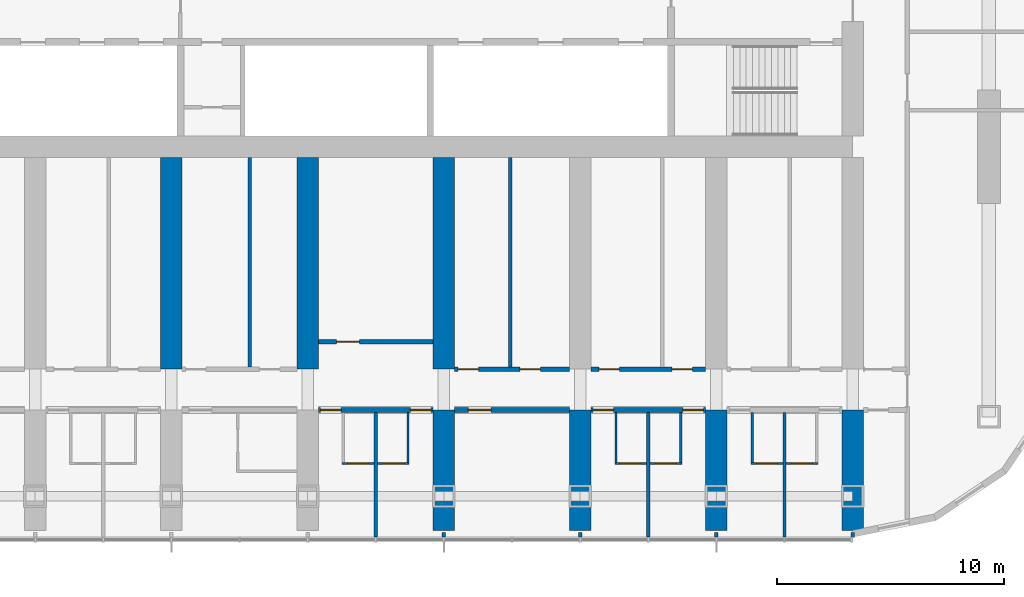
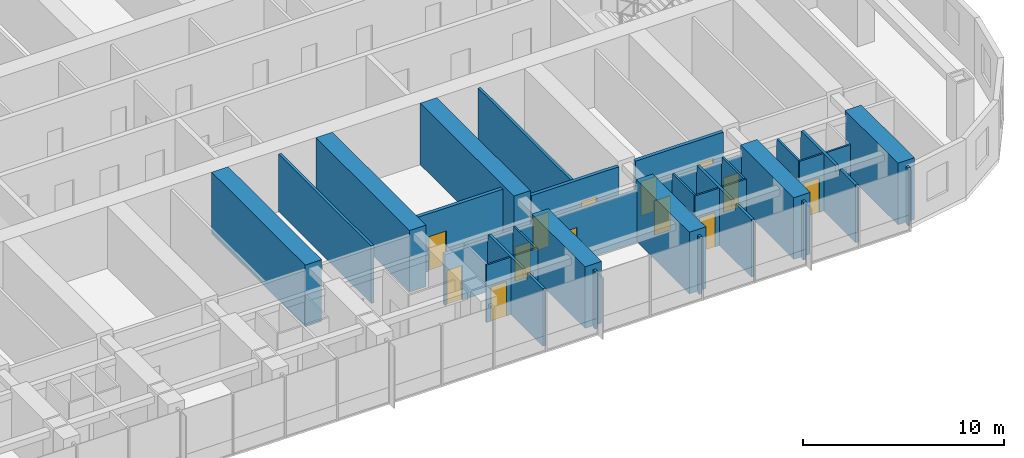
# One storey, part 10 of 21: 32 walls, 16 doors, 16 openings.
"""IFC4 building model written with IfcOpenShell, lengths in metres."""

from ifc_helpers import new_model, si_unit, direction, frame, frame_2d, origin, place, context, subcontext, project, spatial, polyline, rectangle, outline, extrude, material, layer, layer_set, type_object, element, fill, save


model = new_model("IFC4")

# Units and contexts
model_context = context("Model", 3, precision=1e-05, world=origin(), true_north=direction((0.0, 1.0)))
body_context = subcontext(model_context, "Body", "Model", "MODEL_VIEW")
ifc_project = project(units=[si_unit("LENGTHUNIT", "METRE"), si_unit("AREAUNIT", "SQUARE_METRE"), si_unit("VOLUMEUNIT", "CUBIC_METRE"), si_unit("PLANEANGLEUNIT", "RADIAN"), si_unit("MASSUNIT", "GRAM", prefix="KILO")], contexts=[model_context])

# Site, building, storey
site_placement = place(None, origin())
site = spatial("IfcSite", under=ifc_project, at=site_placement, CompositionType="ELEMENT")
building_placement = place(site_placement, origin())
building = spatial("IfcBuilding", under=site, at=building_placement, Name="Orbita Commons", CompositionType="ELEMENT")
storey_placement = place(building_placement, frame((0.0, 0.0, 91.89990234375)))
storey = spatial("IfcBuildingStorey", under=building, at=storey_placement, Name="L22", CompositionType="ELEMENT", Elevation=91.89990234375)

# Wall, openings, doors
ifc_material_1 = material(Name="Concrete blockwork", Category="masonry")
ifc_layer_1 = layer(ifc_material_1, 0.199951171875)
ifc_layer_set_1 = layer_set([ifc_layer_1], Name="Concrete blockwork")
wall_type_1 = type_object("IfcWallType", Name="Corridor wall 200 blockwork", PredefinedType="SOLIDWALL", material=ifc_layer_set_1)
wall_1_placement = place(storey_placement, frame((42.47509765625, 14.199951171875, 0.0), z_axis=(0.0, 0.0, 1.0), x_axis=(1.0, 0.0, 0.0)))
wall_1 = element("IfcWall", 1, at=wall_1_placement, inside=storey, type_object=wall_type_1, Name="Corridor wall 200 blockwork L22", PredefinedType="SOLIDWALL", context=body_context, shape_type="SweptSolid", body=[
    extrude(outline(polyline([(0.0, 0.0), (5.0498046875, 0.0), (5.050048828125, 3.10009765625), (0.0, 3.10009765625), (0.0, 0.0)])), frame((0.0, 0.10009765625, 0.0), z_axis=(0.0, -1.0, 0.0), x_axis=(1.0, 0.0, 0.0)), (0.0, 0.0, 1.0), 0.199951171875),
])
opening_1_placement = place(wall_1_placement, frame((0.10009765625, 0.0, 0.0)))
opening_1 = element("IfcOpeningElement", 2, at=opening_1_placement, cuts=wall_1, Name="Opening D11", PredefinedType="OPENING", context=body_context, shape_type="SweptSolid", body=[
    extrude(rectangle(XDim=0.89990234375, YDim=2.10009765625, at=frame_2d((0.449951171875, 1.050048828125))), frame((0.0, 0.10986328125, 0.0), z_axis=(0.0, -1.0, 0.0), x_axis=(1.0, 0.0, 0.0)), (0.0, 0.0, 1.0), 0.219970703125),
])
opening_2_placement = place(wall_1_placement, frame((4.050048828125, 0.0, 0.0)))
opening_2 = element("IfcOpeningElement", 3, at=opening_2_placement, cuts=wall_1, Name="Opening D11", PredefinedType="OPENING", context=body_context, shape_type="SweptSolid", body=[
    extrude(rectangle(XDim=0.89990234375, YDim=2.10009765625, at=frame_2d((0.449951171875, 1.050048828125))), frame((0.0, 0.10986328125, 0.0), z_axis=(0.0, -1.0, 0.0), x_axis=(1.0, 0.0, 0.0)), (0.0, 0.0, 1.0), 0.219970703125),
])
ifc_material_2 = material(Name="Steel-faced fire door leaf", Category="steel")
door_type_1 = type_object("IfcDoorType", Name="Corridor door 20 min 900x2100", OperationType="SINGLE_SWING_LEFT", PredefinedType="DOOR", material=ifc_material_2)
door_1_placement = place(opening_1_placement, origin())
door_1 = element("IfcDoor", 4, at=door_1_placement, inside=storey, type_object=door_type_1, Name="Cluster bedroom L22-S10 door", OperationType="SINGLE_SWING_LEFT", OverallHeight=2.10009765625, OverallWidth=0.89990234375, PredefinedType="DOOR", context=body_context, shape_type="SweptSolid", body=[
    extrude(rectangle(XDim=0.89990234375, YDim=2.10009765625, at=frame_2d((0.449951171875, 1.050048828125))), frame((0.0, 0.02490234375, 0.0), z_axis=(0.0, -1.0, 0.0), x_axis=(1.0, 0.0, 0.0)), (0.0, 0.0, 1.0), 0.050048828125),
])
fill(opening_1, door_1)
door_2_placement = place(opening_2_placement, origin())
door_2 = element("IfcDoor", 5, at=door_2_placement, inside=storey, type_object=door_type_1, Name="Cluster bedroom L22-S11 door", OperationType="SINGLE_SWING_LEFT", OverallHeight=2.10009765625, OverallWidth=0.89990234375, PredefinedType="DOOR", context=body_context, shape_type="SweptSolid", body=[
    extrude(rectangle(XDim=0.89990234375, YDim=2.10009765625, at=frame_2d((0.449951171875, 1.050048828125))), frame((0.0, 0.02490234375, 0.0), z_axis=(0.0, -1.0, 0.0), x_axis=(1.0, 0.0, 0.0)), (0.0, 0.0, 1.0), 0.050048828125),
])
fill(opening_2, door_2)

# Wall, opening, door
wall_2_placement = place(storey_placement, frame((48.47509765625, 14.199951171875, 0.0), z_axis=(0.0, 0.0, 1.0), x_axis=(1.0, 0.0, 0.0)))
wall_2 = element("IfcWall", 6, at=wall_2_placement, inside=storey, type_object=wall_type_1, Name="Corridor wall 200 blockwork L22", PredefinedType="SOLIDWALL", context=body_context, shape_type="SweptSolid", body=[
    extrude(outline(polyline([(0.0, 0.0), (5.0498046875, 0.0), (5.050048828125, 3.10009765625), (0.0, 3.10009765625), (0.0, 0.0)])), frame((0.0, 0.10009765625, 0.0), z_axis=(0.0, -1.0, 0.0), x_axis=(1.0, 0.0, 0.0)), (0.0, 0.0, 1.0), 0.199951171875),
])
opening_3_placement = place(wall_2_placement, frame((0.60009765625, 0.0, 0.0)))
opening_3 = element("IfcOpeningElement", 7, at=opening_3_placement, cuts=wall_2, Name="Opening D06", PredefinedType="OPENING", context=body_context, shape_type="SweptSolid", body=[
    extrude(rectangle(XDim=1.0, YDim=2.10009765625, at=frame_2d((0.5, 1.050048828125))), frame((0.0, 0.10986328125, 0.0), z_axis=(0.0, -1.0, 0.0), x_axis=(1.0, 0.0, 0.0)), (0.0, 0.0, 1.0), 0.219970703125),
])
ifc_material_3 = material(Name="Steel-faced fire door leaf", Category="steel")
door_type_2 = type_object("IfcDoorType", Name="Corridor door 20 min 1000x2100", OperationType="SINGLE_SWING_LEFT", PredefinedType="DOOR", material=ifc_material_3)
door_3_placement = place(opening_3_placement, origin())
door_3 = element("IfcDoor", 8, at=door_3_placement, inside=storey, type_object=door_type_2, Name="Cluster kitchen-diner L22-S12 door", OperationType="SINGLE_SWING_LEFT", OverallHeight=2.10009765625, OverallWidth=1.0, PredefinedType="DOOR", context=body_context, shape_type="SweptSolid", body=[
    extrude(rectangle(XDim=1.0, YDim=2.10009765625, at=frame_2d((0.5, 1.050048828125))), frame((0.0, 0.02490234375, 0.0), z_axis=(0.0, -1.0, 0.0), x_axis=(1.0, 0.0, 0.0)), (0.0, 0.0, 1.0), 0.050048828125),
])
fill(opening_3, door_3)

# Wall, openings, doors
wall_3_placement = place(storey_placement, frame((54.47509765625, 14.199951171875, 0.0), z_axis=(0.0, 0.0, 1.0), x_axis=(1.0, 0.0, 0.0)))
wall_3 = element("IfcWall", 9, at=wall_3_placement, inside=storey, type_object=wall_type_1, Name="Corridor wall 200 blockwork L22", PredefinedType="SOLIDWALL", context=body_context, shape_type="SweptSolid", body=[
    extrude(outline(polyline([(0.0, 0.0), (5.0498046875, 0.0), (5.050048828125, 3.10009765625), (0.0, 3.10009765625), (0.0, 0.0)])), frame((0.0, 0.10009765625, 0.0), z_axis=(0.0, -1.0, 0.0), x_axis=(1.0, 0.0, 0.0)), (0.0, 0.0, 1.0), 0.199951171875),
])
opening_4_placement = place(wall_3_placement, frame((0.10009765625, 0.0, 0.0)))
opening_4 = element("IfcOpeningElement", 10, at=opening_4_placement, cuts=wall_3, Name="Opening D11", PredefinedType="OPENING", context=body_context, shape_type="SweptSolid", body=[
    extrude(rectangle(XDim=0.89990234375, YDim=2.10009765625, at=frame_2d((0.449951171875, 1.050048828125))), frame((0.0, 0.10986328125, 0.0), z_axis=(0.0, -1.0, 0.0), x_axis=(1.0, 0.0, 0.0)), (0.0, 0.0, 1.0), 0.219970703125),
])
opening_5_placement = place(wall_3_placement, frame((4.050048828125, 0.0, 0.0)))
opening_5 = element("IfcOpeningElement", 11, at=opening_5_placement, cuts=wall_3, Name="Opening D11", PredefinedType="OPENING", context=body_context, shape_type="SweptSolid", body=[
    extrude(rectangle(XDim=0.89990234375, YDim=2.10009765625, at=frame_2d((0.449951171875, 1.050048828125))), frame((0.0, 0.10986328125, 0.0), z_axis=(0.0, -1.0, 0.0), x_axis=(1.0, 0.0, 0.0)), (0.0, 0.0, 1.0), 0.219970703125),
])
door_4_placement = place(opening_4_placement, origin())
door_4 = element("IfcDoor", 12, at=door_4_placement, inside=storey, type_object=door_type_1, Name="Cluster bedroom L22-S14 door", OperationType="SINGLE_SWING_LEFT", OverallHeight=2.10009765625, OverallWidth=0.89990234375, PredefinedType="DOOR", context=body_context, shape_type="SweptSolid", body=[
    extrude(rectangle(XDim=0.89990234375, YDim=2.10009765625, at=frame_2d((0.449951171875, 1.050048828125))), frame((0.0, 0.02490234375, 0.0), z_axis=(0.0, -1.0, 0.0), x_axis=(1.0, 0.0, 0.0)), (0.0, 0.0, 1.0), 0.050048828125),
])
fill(opening_4, door_4)
door_5_placement = place(opening_5_placement, origin())
door_5 = element("IfcDoor", 13, at=door_5_placement, inside=storey, type_object=door_type_1, Name="Cluster bedroom L22-S15 door", OperationType="SINGLE_SWING_LEFT", OverallHeight=2.10009765625, OverallWidth=0.89990234375, PredefinedType="DOOR", context=body_context, shape_type="SweptSolid", body=[
    extrude(rectangle(XDim=0.89990234375, YDim=2.10009765625, at=frame_2d((0.449951171875, 1.050048828125))), frame((0.0, 0.02490234375, 0.0), z_axis=(0.0, -1.0, 0.0), x_axis=(1.0, 0.0, 0.0)), (0.0, 0.0, 1.0), 0.050048828125),
])
fill(opening_5, door_5)

ifc_material_4 = material(Name="Hollow concrete block 200", Category="concrete")
ifc_layer_2 = layer(ifc_material_4, 0.199951171875)
ifc_layer_set_2 = layer_set([ifc_layer_2], Name="Hollow concrete block 200")
wall_type_2 = type_object("IfcWallType", Name="Corridor wall 200 hollow concrete block", PredefinedType="SOLIDWALL", material=ifc_layer_set_2)
wall_4_placement = place(storey_placement, frame((48.47509765625, 16.0, 0.0), z_axis=(0.0, 0.0, 1.0), x_axis=(1.0, 0.0, 0.0)))
wall_4 = element("IfcWall", 14, at=wall_4_placement, inside=storey, type_object=wall_type_2, Name="Corridor wall 200 hollow concrete block L22", PredefinedType="SOLIDWALL", context=body_context, shape_type="SweptSolid", body=[
    extrude(rectangle(XDim=5.0498046875, YDim=0.199951171875, at=frame_2d((2.52490234375, 0.0))), origin(), (0.0, 0.0, 1.0), 3.5),
])
opening_6_placement = place(wall_4_placement, frame((0.14990234375, 0.0, 0.0)))
opening_6 = element("IfcOpeningElement", 15, at=opening_6_placement, cuts=wall_4, Name="Opening D11", PredefinedType="OPENING", context=body_context, shape_type="SweptSolid", body=[
    extrude(rectangle(XDim=0.89990234375, YDim=2.10009765625, at=frame_2d((0.449951171875, 1.050048828125))), frame((0.0, 0.10986328125, 0.0), z_axis=(0.0, -1.0, 0.0), x_axis=(1.0, 0.0, 0.0)), (0.0, 0.0, 1.0), 0.219970703125),
])
opening_7_placement = place(wall_4_placement, frame((2.875, 0.0, 0.0)))
opening_7 = element("IfcOpeningElement", 16, at=opening_7_placement, cuts=wall_4, Name="Opening D11", PredefinedType="OPENING", context=body_context, shape_type="SweptSolid", body=[
    extrude(rectangle(XDim=0.89990234375, YDim=2.10009765625, at=frame_2d((0.449951171875, 1.050048828125))), frame((0.0, 0.10986328125, 0.0), z_axis=(0.0, -1.0, 0.0), x_axis=(1.0, 0.0, 0.0)), (0.0, 0.0, 1.0), 0.219970703125),
])
door_6_placement = place(opening_6_placement, origin())
door_6 = element("IfcDoor", 17, at=door_6_placement, inside=storey, type_object=door_type_1, Name="Electrical and data room L22-BDS48 door", OperationType="SINGLE_SWING_LEFT", OverallHeight=2.10009765625, OverallWidth=0.89990234375, PredefinedType="DOOR", context=body_context, shape_type="SweptSolid", body=[
    extrude(rectangle(XDim=0.89990234375, YDim=2.10009765625, at=frame_2d((0.449951171875, 1.050048828125))), frame((0.0, 0.02490234375, 0.0), z_axis=(0.0, -1.0, 0.0), x_axis=(1.0, 0.0, 0.0)), (0.0, 0.0, 1.0), 0.050048828125),
])
fill(opening_6, door_6)
door_7_placement = place(opening_7_placement, origin())
door_7 = element("IfcDoor", 18, at=door_7_placement, inside=storey, type_object=door_type_1, Name="Equipment store L22-BDS48n door", OperationType="SINGLE_SWING_LEFT", OverallHeight=2.10009765625, OverallWidth=0.89990234375, PredefinedType="DOOR", context=body_context, shape_type="SweptSolid", body=[
    extrude(rectangle(XDim=0.89990234375, YDim=2.10009765625, at=frame_2d((0.449951171875, 1.050048828125))), frame((0.0, 0.02490234375, 0.0), z_axis=(0.0, -1.0, 0.0), x_axis=(1.0, 0.0, 0.0)), (0.0, 0.0, 1.0), 0.050048828125),
])
fill(opening_7, door_7)

wall_5_placement = place(storey_placement, frame((54.47509765625, 16.0, 0.0), z_axis=(0.0, 0.0, 1.0), x_axis=(1.0, 0.0, 0.0)))
wall_5 = element("IfcWall", 19, at=wall_5_placement, inside=storey, type_object=wall_type_2, Name="Corridor wall 200 hollow concrete block L22", PredefinedType="SOLIDWALL", context=body_context, shape_type="SweptSolid", body=[
    extrude(rectangle(XDim=5.0498046875, YDim=0.199951171875, at=frame_2d((2.52490234375, 0.0))), origin(), (0.0, 0.0, 1.0), 3.5),
])
opening_8_placement = place(wall_5_placement, frame((0.35009765625, 0.0, 0.0)))
opening_8 = element("IfcOpeningElement", 20, at=opening_8_placement, cuts=wall_5, Name="Opening D11", PredefinedType="OPENING", context=body_context, shape_type="SweptSolid", body=[
    extrude(rectangle(XDim=0.89990234375, YDim=2.10009765625, at=frame_2d((0.449951171875, 1.050048828125))), frame((0.0, 0.10986328125, 0.0), z_axis=(0.0, -1.0, 0.0), x_axis=(1.0, 0.0, 0.0)), (0.0, 0.0, 1.0), 0.219970703125),
])
opening_9_placement = place(wall_5_placement, frame((3.56494140625, 0.0, 0.0)))
opening_9 = element("IfcOpeningElement", 21, at=opening_9_placement, cuts=wall_5, Name="Opening D11", PredefinedType="OPENING", context=body_context, shape_type="SweptSolid", body=[
    extrude(rectangle(XDim=0.89990234375, YDim=2.10009765625, at=frame_2d((0.449951171875, 1.050048828125))), frame((0.0, 0.10986328125, 0.0), z_axis=(0.0, -1.0, 0.0), x_axis=(1.0, 0.0, 0.0)), (0.0, 0.0, 1.0), 0.219970703125),
])
door_8_placement = place(opening_8_placement, origin())
door_8 = element("IfcDoor", 22, at=door_8_placement, inside=storey, type_object=door_type_1, Name="Ventilation plant room north L22-BDS54 door", OperationType="SINGLE_SWING_LEFT", OverallHeight=2.10009765625, OverallWidth=0.89990234375, PredefinedType="DOOR", context=body_context, shape_type="SweptSolid", body=[
    extrude(rectangle(XDim=0.89990234375, YDim=2.10009765625, at=frame_2d((0.449951171875, 1.050048828125))), frame((0.0, 0.02490234375, 0.0), z_axis=(0.0, -1.0, 0.0), x_axis=(1.0, 0.0, 0.0)), (0.0, 0.0, 1.0), 0.050048828125),
])
fill(opening_8, door_8)
door_9_placement = place(opening_9_placement, origin())
door_9 = element("IfcDoor", 23, at=door_9_placement, inside=storey, type_object=door_type_1, Name="Battery and UPS room L22-BDS54n door", OperationType="SINGLE_SWING_LEFT", OverallHeight=2.10009765625, OverallWidth=0.89990234375, PredefinedType="DOOR", context=body_context, shape_type="SweptSolid", body=[
    extrude(rectangle(XDim=0.89990234375, YDim=2.10009765625, at=frame_2d((0.449951171875, 1.050048828125))), frame((0.0, 0.02490234375, 0.0), z_axis=(0.0, -1.0, 0.0), x_axis=(1.0, 0.0, 0.0)), (0.0, 0.0, 1.0), 0.050048828125),
])
fill(opening_9, door_9)

# Wall, opening, door
wall_6_placement = place(storey_placement, frame((42.47509765625, 17.199951171875, 0.0), z_axis=(0.0, 0.0, 1.0), x_axis=(1.0, 0.0, 0.0)))
wall_6 = element("IfcWall", 24, at=wall_6_placement, inside=storey, type_object=wall_type_2, Name="Corridor wall 200 hollow concrete block L22", PredefinedType="SOLIDWALL", context=body_context, shape_type="SweptSolid", body=[
    extrude(rectangle(XDim=5.0498046875, YDim=0.199951171875, at=frame_2d((2.52490234375, 0.0))), origin(), (0.0, 0.0, 1.0), 3.5),
])
opening_10_placement = place(wall_6_placement, frame((0.800048828125, 0.0, 0.0)))
opening_10 = element("IfcOpeningElement", 25, at=opening_10_placement, cuts=wall_6, Name="Opening D06", PredefinedType="OPENING", context=body_context, shape_type="SweptSolid", body=[
    extrude(rectangle(XDim=1.0, YDim=2.10009765625, at=frame_2d((0.5, 1.050048828125))), frame((0.0, 0.10986328125, 0.0), z_axis=(0.0, -1.0, 0.0), x_axis=(1.0, 0.0, 0.0)), (0.0, 0.0, 1.0), 0.219970703125),
])
door_10_placement = place(opening_10_placement, origin())
door_10 = element("IfcDoor", 26, at=door_10_placement, inside=storey, type_object=door_type_2, Name="IT and print room L22-BDS42 door", OperationType="SINGLE_SWING_LEFT", OverallHeight=2.10009765625, OverallWidth=1.0, PredefinedType="DOOR", context=body_context, shape_type="SweptSolid", body=[
    extrude(rectangle(XDim=1.0, YDim=2.10009765625, at=frame_2d((0.5, 1.050048828125))), frame((0.0, 0.02490234375, 0.0), z_axis=(0.0, -1.0, 0.0), x_axis=(1.0, 0.0, 0.0)), (0.0, 0.0, 1.0), 0.050048828125),
])
fill(opening_10, door_10)

# Walls
ifc_material_5 = material(Name="Concrete C50/60", Category="concrete")
ifc_layer_3 = layer(ifc_material_5, 0.949951171875)
ifc_layer_set_3 = layer_set([ifc_layer_3], Name="Concrete C50/60")
wall_type_3 = type_object("IfcWallType", Name="Cross wall 950 C50/60", PredefinedType="SHEAR", material=ifc_layer_set_3)
for number, where, z_axis, x_axis, name in (
    (27, (36.0, 16.0, 0.0), (0.0, 0.0, 1.0), (0.0, 1.0, 0.0), "Cross wall 7 south inner L22"),
    (28, (42.0, 16.0, 0.0), (0.0, 0.0, 1.0), (0.0, 1.0, 0.0), "Cross wall 8 south inner L22"),
):
    element("IfcWall", number, at=place(storey_placement, frame(where, z_axis=z_axis, x_axis=x_axis)), inside=storey, type_object=wall_type_3, Name=name, PredefinedType="SHEAR", context=body_context, shape_type="SweptSolid", body=[
        extrude(rectangle(XDim=9.324951171875, YDim=0.949951171875, at=frame_2d((4.66259765625, 0.0))), origin(), (0.0, 0.0, 1.0), 3.75),
    ])
wall_7_placement = place(storey_placement, frame((48.0, 8.89990234375, 0.0), z_axis=(0.0, 0.0, 1.0), x_axis=(0.0, 1.0, 0.0)))
element("IfcWall", 29, at=wall_7_placement, inside=storey, type_object=wall_type_3, Name="Cross wall 9 south outer L22", PredefinedType="SHEAR", context=body_context, shape_type="SweptSolid", body=[
    extrude(rectangle(XDim=5.300048828125, YDim=0.949951171875, at=frame_2d((2.64990234375, 0.0))), origin(), (0.0, 0.0, 1.0), 3.75),
])
wall_8_placement = place(storey_placement, frame((48.0, 16.0, 0.0), z_axis=(0.0, 0.0, 1.0), x_axis=(0.0, 1.0, 0.0)))
element("IfcWall", 30, at=wall_8_placement, inside=storey, type_object=wall_type_3, Name="Cross wall 9 south inner L22", PredefinedType="SHEAR", context=body_context, shape_type="SweptSolid", body=[
    extrude(rectangle(XDim=9.324951171875, YDim=0.949951171875, at=frame_2d((4.66259765625, 0.0))), origin(), (0.0, 0.0, 1.0), 3.75),
])
for number, where, z_axis, x_axis, name in (
    (31, (54.0, 8.89990234375, 0.0), (0.0, 0.0, 1.0), (0.0, 1.0, 0.0), "Cross wall 10 south outer L22"),
    (32, (60.0, 8.89990234375, 0.0), (0.0, 0.0, 1.0), (0.0, 1.0, 0.0), "Cross wall 11 south outer L22"),
    (33, (66.0, 8.89990234375, 0.0), (0.0, 0.0, 1.0), (0.0, 1.0, 0.0), "Cross wall 12 south outer L22"),
):
    element("IfcWall", number, at=place(storey_placement, frame(where, z_axis=z_axis, x_axis=x_axis)), inside=storey, type_object=wall_type_3, Name=name, PredefinedType="SHEAR", context=body_context, shape_type="SweptSolid", body=[
        extrude(rectangle(XDim=5.300048828125, YDim=0.949951171875, at=frame_2d((2.64990234375, 0.0))), origin(), (0.0, 0.0, 1.0), 3.75),
    ])

# Wall, opening, door
ifc_material_6 = material(Name="Moisture-resistant plasterboard on steel studs", Category="steel")
ifc_layer_4 = layer(ifc_material_6, 0.10009765625)
ifc_layer_set_4 = layer_set([ifc_layer_4], Name="Moisture-resistant plasterboard on steel studs")
wall_type_4 = type_object("IfcWallType", Name="En-suite partition 100", PredefinedType="PARTITIONING", material=ifc_layer_set_4)
wall_9_placement = place(storey_placement, frame((44.925048828125, 11.8408203125, 0.0), z_axis=(0.0, 0.0, 1.0), x_axis=(-1.0, 0.0, 0.0)))
wall_9 = element("IfcWall", 34, at=wall_9_placement, inside=storey, type_object=wall_type_4, Name="En-suite partition 100 L22", PredefinedType="PARTITIONING", context=body_context, shape_type="SweptSolid", body=[
    extrude(rectangle(XDim=1.400146484375, YDim=0.10009765625, at=frame_2d((0.7001953125, 0.0))), origin(), (0.0, 0.0, 1.0), 3.5),
])
opening_11_placement = place(wall_9_placement, frame((0.25, 0.0, 0.0)))
opening_11 = element("IfcOpeningElement", 35, at=opening_11_placement, cuts=wall_9, Name="Opening D09", PredefinedType="OPENING", context=body_context, shape_type="SweptSolid", body=[
    extrude(rectangle(XDim=0.89990234375, YDim=2.10009765625, at=frame_2d((0.449951171875, 1.050048828125))), frame((0.0, 0.06005859375, 0.0), z_axis=(0.0, -1.0, 0.0), x_axis=(1.0, 0.0, 0.0)), (0.0, 0.0, 1.0), 0.1201171875),
])
ifc_material_7 = material(Name="Laminated timber door leaf", Category="wood")
door_type_3 = type_object("IfcDoorType", Name="En-suite door 900x2100", OperationType="SINGLE_SWING_RIGHT", PredefinedType="DOOR", material=ifc_material_7)
door_11_placement = place(opening_11_placement, origin())
door_11 = element("IfcDoor", 36, at=door_11_placement, inside=storey, type_object=door_type_3, Name="En-suite L22-S10 door", OperationType="SINGLE_SWING_RIGHT", OverallHeight=2.10009765625, OverallWidth=0.89990234375, PredefinedType="DOOR", context=body_context, shape_type="SweptSolid", body=[
    extrude(rectangle(XDim=0.89990234375, YDim=2.10009765625, at=frame_2d((0.449951171875, 1.050048828125))), frame((0.0, 0.02490234375, 0.0), z_axis=(0.0, -1.0, 0.0), x_axis=(1.0, 0.0, 0.0)), (0.0, 0.0, 1.0), 0.050048828125),
])
fill(opening_11, door_11)

wall_10_placement = place(storey_placement, frame((46.47509765625, 11.8408203125, 0.0), z_axis=(0.0, 0.0, 1.0), x_axis=(-1.0, 0.0, 0.0)))
wall_10 = element("IfcWall", 37, at=wall_10_placement, inside=storey, type_object=wall_type_4, Name="En-suite partition 100 L22", PredefinedType="PARTITIONING", context=body_context, shape_type="SweptSolid", body=[
    extrude(rectangle(XDim=1.400146484375, YDim=0.10009765625, at=frame_2d((0.7001953125, 0.0))), origin(), (0.0, 0.0, 1.0), 3.5),
])
opening_12_placement = place(wall_10_placement, frame((0.25, 0.0, 0.0)))
opening_12 = element("IfcOpeningElement", 38, at=opening_12_placement, cuts=wall_10, Name="Opening D09", PredefinedType="OPENING", context=body_context, shape_type="SweptSolid", body=[
    extrude(rectangle(XDim=0.89990234375, YDim=2.10009765625, at=frame_2d((0.449951171875, 1.050048828125))), frame((0.0, 0.06005859375, 0.0), z_axis=(0.0, -1.0, 0.0), x_axis=(1.0, 0.0, 0.0)), (0.0, 0.0, 1.0), 0.1201171875),
])
door_12_placement = place(opening_12_placement, origin())
door_12 = element("IfcDoor", 39, at=door_12_placement, inside=storey, type_object=door_type_3, Name="En-suite L22-S11 door", OperationType="SINGLE_SWING_RIGHT", OverallHeight=2.10009765625, OverallWidth=0.89990234375, PredefinedType="DOOR", context=body_context, shape_type="SweptSolid", body=[
    extrude(rectangle(XDim=0.89990234375, YDim=2.10009765625, at=frame_2d((0.449951171875, 1.050048828125))), frame((0.0, 0.02490234375, 0.0), z_axis=(0.0, -1.0, 0.0), x_axis=(1.0, 0.0, 0.0)), (0.0, 0.0, 1.0), 0.050048828125),
])
fill(opening_12, door_12)

# Wall
wall_11_placement = place(storey_placement, frame((46.425048828125, 11.890625, 0.0), z_axis=(0.0, 0.0, 1.0), x_axis=(0.0, 1.0, 0.0)))
element("IfcWall", 40, at=wall_11_placement, inside=storey, type_object=wall_type_4, Name="En-suite partition 100 L22", PredefinedType="PARTITIONING", context=body_context, shape_type="SweptSolid", body=[
    extrude(outline(polyline([(0.0, 0.0), (2.20947265625, 0.0), (2.209228515625, 3.10009765625), (2.161376953125, 3.10009765625), (2.1591796875, 3.5), (0.0, 3.5), (0.0, 0.0)])), frame((0.0, 0.050048828125, 0.0), z_axis=(0.0, -1.0, 0.0), x_axis=(1.0, 0.0, 0.0)), (0.0, 0.0, 1.0), 0.10009765625),
])

# Wall, opening, door
wall_12_placement = place(storey_placement, frame((56.925048828125, 11.8408203125, 0.0), z_axis=(0.0, 0.0, 1.0), x_axis=(-1.0, 0.0, 0.0)))
wall_12 = element("IfcWall", 41, at=wall_12_placement, inside=storey, type_object=wall_type_4, Name="En-suite partition 100 L22", PredefinedType="PARTITIONING", context=body_context, shape_type="SweptSolid", body=[
    extrude(rectangle(XDim=1.400146484375, YDim=0.10009765625, at=frame_2d((0.7001953125, 0.0))), origin(), (0.0, 0.0, 1.0), 3.5),
])
opening_13_placement = place(wall_12_placement, frame((0.25, 0.0, 0.0)))
opening_13 = element("IfcOpeningElement", 42, at=opening_13_placement, cuts=wall_12, Name="Opening D09", PredefinedType="OPENING", context=body_context, shape_type="SweptSolid", body=[
    extrude(rectangle(XDim=0.89990234375, YDim=2.10009765625, at=frame_2d((0.449951171875, 1.050048828125))), frame((0.0, 0.06005859375, 0.0), z_axis=(0.0, -1.0, 0.0), x_axis=(1.0, 0.0, 0.0)), (0.0, 0.0, 1.0), 0.1201171875),
])
door_13_placement = place(opening_13_placement, origin())
door_13 = element("IfcDoor", 43, at=door_13_placement, inside=storey, type_object=door_type_3, Name="En-suite L22-S14 door", OperationType="SINGLE_SWING_RIGHT", OverallHeight=2.10009765625, OverallWidth=0.89990234375, PredefinedType="DOOR", context=body_context, shape_type="SweptSolid", body=[
    extrude(rectangle(XDim=0.89990234375, YDim=2.10009765625, at=frame_2d((0.449951171875, 1.050048828125))), frame((0.0, 0.02490234375, 0.0), z_axis=(0.0, -1.0, 0.0), x_axis=(1.0, 0.0, 0.0)), (0.0, 0.0, 1.0), 0.050048828125),
])
fill(opening_13, door_13)

# Wall
wall_13_placement = place(storey_placement, frame((55.574951171875, 11.890625, 0.0), z_axis=(0.0, 0.0, 1.0), x_axis=(0.0, 1.0, 0.0)))
element("IfcWall", 44, at=wall_13_placement, inside=storey, type_object=wall_type_4, Name="En-suite partition 100 L22", PredefinedType="PARTITIONING", context=body_context, shape_type="SweptSolid", body=[
    extrude(outline(polyline([(0.0, 0.0), (2.20947265625, 0.0), (2.209228515625, 3.10009765625), (2.161376953125, 3.10009765625), (2.1591796875, 3.5), (0.0, 3.5), (0.0, 0.0)])), frame((0.0, 0.050048828125, 0.0), z_axis=(0.0, -1.0, 0.0), x_axis=(1.0, 0.0, 0.0)), (0.0, 0.0, 1.0), 0.10009765625),
])

# Wall, opening, door
wall_14_placement = place(storey_placement, frame((58.47509765625, 11.8408203125, 0.0), z_axis=(0.0, 0.0, 1.0), x_axis=(-1.0, 0.0, 0.0)))
wall_14 = element("IfcWall", 45, at=wall_14_placement, inside=storey, type_object=wall_type_4, Name="En-suite partition 100 L22", PredefinedType="PARTITIONING", context=body_context, shape_type="SweptSolid", body=[
    extrude(rectangle(XDim=1.400146484375, YDim=0.10009765625, at=frame_2d((0.7001953125, 0.0))), origin(), (0.0, 0.0, 1.0), 3.5),
])
opening_14_placement = place(wall_14_placement, frame((0.25, 0.0, 0.0)))
opening_14 = element("IfcOpeningElement", 46, at=opening_14_placement, cuts=wall_14, Name="Opening D09", PredefinedType="OPENING", context=body_context, shape_type="SweptSolid", body=[
    extrude(rectangle(XDim=0.89990234375, YDim=2.10009765625, at=frame_2d((0.449951171875, 1.050048828125))), frame((0.0, 0.06005859375, 0.0), z_axis=(0.0, -1.0, 0.0), x_axis=(1.0, 0.0, 0.0)), (0.0, 0.0, 1.0), 0.1201171875),
])
door_14_placement = place(opening_14_placement, origin())
door_14 = element("IfcDoor", 47, at=door_14_placement, inside=storey, type_object=door_type_3, Name="En-suite L22-S15 door", OperationType="SINGLE_SWING_RIGHT", OverallHeight=2.10009765625, OverallWidth=0.89990234375, PredefinedType="DOOR", context=body_context, shape_type="SweptSolid", body=[
    extrude(rectangle(XDim=0.89990234375, YDim=2.10009765625, at=frame_2d((0.449951171875, 1.050048828125))), frame((0.0, 0.02490234375, 0.0), z_axis=(0.0, -1.0, 0.0), x_axis=(1.0, 0.0, 0.0)), (0.0, 0.0, 1.0), 0.050048828125),
])
fill(opening_14, door_14)

# Wall
wall_15_placement = place(storey_placement, frame((58.425048828125, 11.890625, 0.0), z_axis=(0.0, 0.0, 1.0), x_axis=(0.0, 1.0, 0.0)))
element("IfcWall", 48, at=wall_15_placement, inside=storey, type_object=wall_type_4, Name="En-suite partition 100 L22", PredefinedType="PARTITIONING", context=body_context, shape_type="SweptSolid", body=[
    extrude(outline(polyline([(0.0, 0.0), (2.20947265625, 0.0), (2.209228515625, 3.10009765625), (2.161376953125, 3.10009765625), (2.1591796875, 3.5), (0.0, 3.5), (0.0, 0.0)])), frame((0.0, 0.050048828125, 0.0), z_axis=(0.0, -1.0, 0.0), x_axis=(1.0, 0.0, 0.0)), (0.0, 0.0, 1.0), 0.10009765625),
])

# Wall, opening, door
wall_16_placement = place(storey_placement, frame((62.925048828125, 11.8408203125, 0.0), z_axis=(0.0, 0.0, 1.0), x_axis=(-1.0, 0.0, 0.0)))
wall_16 = element("IfcWall", 49, at=wall_16_placement, inside=storey, type_object=wall_type_4, Name="En-suite partition 100 L22", PredefinedType="PARTITIONING", context=body_context, shape_type="SweptSolid", body=[
    extrude(rectangle(XDim=1.400146484375, YDim=0.10009765625, at=frame_2d((0.7001953125, 0.0))), origin(), (0.0, 0.0, 1.0), 3.5),
])
opening_15_placement = place(wall_16_placement, frame((0.25, 0.0, 0.0)))
opening_15 = element("IfcOpeningElement", 50, at=opening_15_placement, cuts=wall_16, Name="Opening D09", PredefinedType="OPENING", context=body_context, shape_type="SweptSolid", body=[
    extrude(rectangle(XDim=0.89990234375, YDim=2.10009765625, at=frame_2d((0.449951171875, 1.050048828125))), frame((0.0, 0.06005859375, 0.0), z_axis=(0.0, -1.0, 0.0), x_axis=(1.0, 0.0, 0.0)), (0.0, 0.0, 1.0), 0.1201171875),
])
door_15_placement = place(opening_15_placement, origin())
door_15 = element("IfcDoor", 51, at=door_15_placement, inside=storey, type_object=door_type_3, Name="En-suite L22-S16 door", OperationType="SINGLE_SWING_RIGHT", OverallHeight=2.10009765625, OverallWidth=0.89990234375, PredefinedType="DOOR", context=body_context, shape_type="SweptSolid", body=[
    extrude(rectangle(XDim=0.89990234375, YDim=2.10009765625, at=frame_2d((0.449951171875, 1.050048828125))), frame((0.0, 0.02490234375, 0.0), z_axis=(0.0, -1.0, 0.0), x_axis=(1.0, 0.0, 0.0)), (0.0, 0.0, 1.0), 0.050048828125),
])
fill(opening_15, door_15)

# Wall
wall_17_placement = place(storey_placement, frame((61.574951171875, 11.890625, 0.0), z_axis=(0.0, 0.0, 1.0), x_axis=(0.0, 1.0, 0.0)))
element("IfcWall", 52, at=wall_17_placement, inside=storey, type_object=wall_type_4, Name="En-suite partition 100 L22", PredefinedType="PARTITIONING", context=body_context, shape_type="SweptSolid", body=[
    extrude(outline(polyline([(0.0, 0.0), (2.20947265625, 0.0), (2.209228515625, 3.10009765625), (2.161376953125, 3.10009765625), (2.1591796875, 3.5), (0.0, 3.5), (0.0, 0.0)])), frame((0.0, 0.050048828125, 0.0), z_axis=(0.0, -1.0, 0.0), x_axis=(1.0, 0.0, 0.0)), (0.0, 0.0, 1.0), 0.10009765625),
])

# Wall, opening, door
wall_18_placement = place(storey_placement, frame((64.47509765625, 11.8408203125, 0.0), z_axis=(0.0, 0.0, 1.0), x_axis=(-1.0, 0.0, 0.0)))
wall_18 = element("IfcWall", 53, at=wall_18_placement, inside=storey, type_object=wall_type_4, Name="En-suite partition 100 L22", PredefinedType="PARTITIONING", context=body_context, shape_type="SweptSolid", body=[
    extrude(rectangle(XDim=1.400146484375, YDim=0.10009765625, at=frame_2d((0.7001953125, 0.0))), origin(), (0.0, 0.0, 1.0), 3.5),
])
opening_16_placement = place(wall_18_placement, frame((0.25, 0.0, 0.0)))
opening_16 = element("IfcOpeningElement", 54, at=opening_16_placement, cuts=wall_18, Name="Opening D09", PredefinedType="OPENING", context=body_context, shape_type="SweptSolid", body=[
    extrude(rectangle(XDim=0.89990234375, YDim=2.10009765625, at=frame_2d((0.449951171875, 1.050048828125))), frame((0.0, 0.06005859375, 0.0), z_axis=(0.0, -1.0, 0.0), x_axis=(1.0, 0.0, 0.0)), (0.0, 0.0, 1.0), 0.1201171875),
])
door_16_placement = place(opening_16_placement, origin())
door_16 = element("IfcDoor", 55, at=door_16_placement, inside=storey, type_object=door_type_3, Name="En-suite L22-S17 door", OperationType="SINGLE_SWING_RIGHT", OverallHeight=2.10009765625, OverallWidth=0.89990234375, PredefinedType="DOOR", context=body_context, shape_type="SweptSolid", body=[
    extrude(rectangle(XDim=0.89990234375, YDim=2.10009765625, at=frame_2d((0.449951171875, 1.050048828125))), frame((0.0, 0.02490234375, 0.0), z_axis=(0.0, -1.0, 0.0), x_axis=(1.0, 0.0, 0.0)), (0.0, 0.0, 1.0), 0.050048828125),
])
fill(opening_16, door_16)

# Walls
ifc_material_8 = material(Name="Gypsum plasterboard on steel studs", Category="steel")
ifc_layer_5 = layer(ifc_material_8, 0.14990234375)
ifc_layer_set_5 = layer_set([ifc_layer_5], Name="Gypsum plasterboard on steel studs")
wall_type_5 = type_object("IfcWallType", Name="Partition 150 plasterboard", PredefinedType="PARTITIONING", material=ifc_layer_set_5)
for number, where, z_axis, x_axis, name in (
    (56, (39.455078125, 16.10009765625, 0.0), (0.0, 0.0, 1.0), (0.0, 1.0, 0.0), "Partition 150 plasterboard L22"),
    (57, (50.925048828125, 16.10009765625, 0.0), (0.0, 0.0, 1.0), (0.0, 1.0, 0.0), "Partition 150 plasterboard L22"),
):
    element("IfcWall", number, at=place(storey_placement, frame(where, z_axis=z_axis, x_axis=x_axis)), inside=storey, type_object=wall_type_5, Name=name, PredefinedType="PARTITIONING", context=body_context, shape_type="SweptSolid", body=[
        extrude(rectangle(XDim=9.224853515625, YDim=0.14990234375, at=frame_2d((4.6123046875, 0.0))), origin(), (0.0, 0.0, 1.0), 3.5),
    ])
for number, where, z_axis, x_axis, name in (
    (58, (48.0, 8.800048828125, 0.0), (0.0, 0.0, 1.0), (0.0, -1.0, 0.0), "Partition 150 plasterboard L22"),
    (59, (54.0, 8.800048828125, 0.0), (0.0, 0.0, 1.0), (0.0, -1.0, 0.0), "Partition 150 plasterboard L22"),
    (60, (60.0, 8.800048828125, 0.0), (0.0, 0.0, 1.0), (0.0, -1.0, 0.0), "Partition 150 plasterboard L22"),
):
    element("IfcWall", number, at=place(storey_placement, frame(where, z_axis=z_axis, x_axis=x_axis)), inside=storey, type_object=wall_type_5, Name=name, PredefinedType="PARTITIONING", context=body_context, shape_type="SweptSolid", body=[
        extrude(rectangle(XDim=0.18994140625, YDim=0.14990234375, at=frame_2d((0.094970703125, 0.0))), origin(), (0.0, 0.0, 1.0), 3.5),
    ])
wall_19_placement = place(storey_placement, frame((66.0, 8.800048828125, 0.0), z_axis=(0.0, 0.0, 1.0), x_axis=(0.0, -1.0, 0.0)))
element("IfcWall", 61, at=wall_19_placement, inside=storey, type_object=wall_type_5, Name="Partition 150 plasterboard L22", PredefinedType="PARTITIONING", context=body_context, shape_type="SweptSolid", body=[
    extrude(rectangle(XDim=0.219970703125, YDim=0.14990234375, at=frame_2d((0.10986328125, 0.0))), origin(), (0.0, 0.0, 1.0), 3.5),
])
ifc_material_9 = material(Name="Gypsum plasterboard on steel studs", Category="steel")
ifc_layer_6 = layer(ifc_material_9, 0.14990234375)
ifc_layer_set_6 = layer_set([ifc_layer_6], Name="Gypsum plasterboard on steel studs")
wall_type_6 = type_object("IfcWallType", Name="Party wall 150 plasterboard", PredefinedType="PARTITIONING", material=ifc_layer_set_6)
for number, where, z_axis, x_axis, name in (
    (62, (45.0, 8.610107421875, 0.0), (0.0, 0.0, 1.0), (0.0, 1.0, 0.0), "Party wall 150 plasterboard L22"),
    (63, (57.0, 8.610107421875, 0.0), (0.0, 0.0, 1.0), (0.0, 1.0, 0.0), "Party wall 150 plasterboard L22"),
    (64, (63.0, 8.610107421875, 0.0), (0.0, 0.0, 1.0), (0.0, 1.0, 0.0), "Party wall 150 plasterboard L22"),
):
    element("IfcWall", number, at=place(storey_placement, frame(where, z_axis=z_axis, x_axis=x_axis)), inside=storey, type_object=wall_type_6, Name=name, PredefinedType="PARTITIONING", context=body_context, shape_type="SweptSolid", body=[
        extrude(outline(polyline([(0.0, 0.0), (5.489990234375, 0.0), (5.489990234375, 3.10009765625), (5.44189453125, 3.10009765625), (5.43994140625, 3.5), (1.991943359375, 3.5), (1.989990234375, 3.10009765625), (1.592041015625, 3.10009765625), (1.590087890625, 3.5), (0.0, 3.5), (0.0, 0.0)])), frame((0.0, 0.074951171875, 0.0), z_axis=(0.0, -1.0, 0.0), x_axis=(1.0, 0.0, 0.0)), (0.0, 0.0, 1.0), 0.14990234375),
    ])

save(model, "model.ifc")
